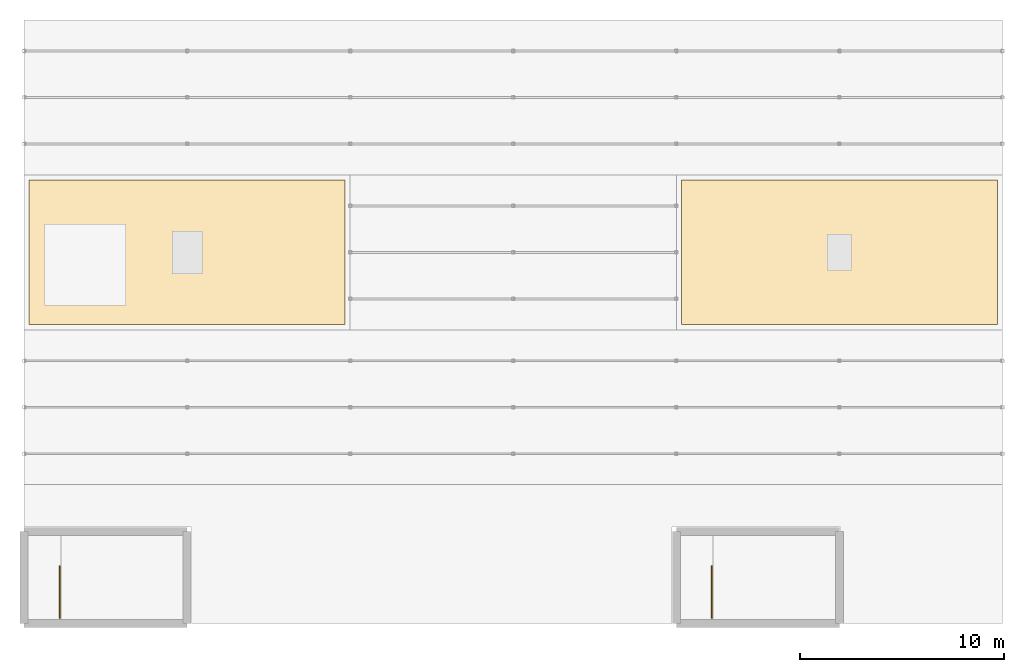
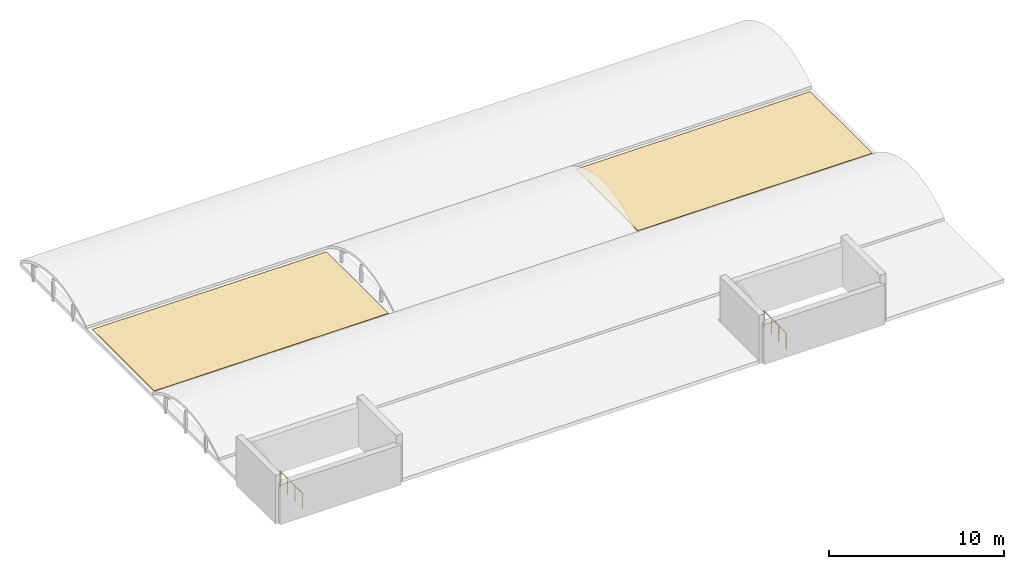
# One storey, part 8 of 8: 2 coverings, 2 railings.
"""IFC4 building model written with IfcOpenShell, lengths in metres."""

import ifcopenshell
import ifcopenshell.guid

model = None  # the IFC model being written
_history = None  # IfcOwnerHistory: only IFC2X3 demands one
_inside = {}  # id of a spatial element -> (the spatial element, [elements in it])
_under = {}  # id of a project, library or spatial element -> (it, [spatial elements below it])
_declared = {}  # id of a project -> (the project, [libraries it declares])
_typed = {}  # id of a type object -> (the type object, [elements of that type])
_made_of = {}  # id of a material, layer set ... -> (it, [elements and type objects made of it])


def new_model(schema):
    """Start an empty IFC model of exactly this schema.

    Asked for "IFC4X3", IfcOpenShell would pick the latest addendum, in which some entities
    have other attributes; the version numbers below select the first issue.
    IFC2X3 requires an IfcOwnerHistory on every rooted entity: one is made here for all.
    """
    global model, _history
    if schema == "IFC4X3":
        model = ifcopenshell.file(schema_version=(4, 3, 0, 0))
    else:
        model = ifcopenshell.file(schema=schema)
    _inside.clear()
    _under.clear()
    _declared.clear()
    _typed.clear()
    _made_of.clear()
    _history = None
    if model.schema == "IFC2X3":
        org = make("IfcOrganization", Name="unknown")
        user = make(
            "IfcPersonAndOrganization",
            ThePerson=make("IfcPerson", FamilyName="unknown"),
            TheOrganization=org,
        )
        app = make(
            "IfcApplication",
            ApplicationDeveloper=org,
            Version="unknown",
            ApplicationFullName="unknown",
            ApplicationIdentifier="unknown",
        )
        _history = make(
            "IfcOwnerHistory",
            OwningUser=user,
            OwningApplication=app,
            ChangeAction="ADDED",
            CreationDate=0,
        )
    return model


def make(cls, **values):
    """One entity of the class cls with the attributes given. An attribute that is None is left unset."""
    return model.create_entity(
        cls, **{name: value for name, value in values.items() if value is not None}
    )


def rooted(cls, **values):
    """An entity with a GlobalId (a new one), such as an element, a storey or a relation."""
    return make(cls, GlobalId=ifcopenshell.guid.new(), OwnerHistory=_history, **values)


def si_unit(unit_type, name, prefix=None):
    """IfcSIUnit, for example si_unit("LENGTHUNIT", "METRE", prefix="MILLI")."""
    return make("IfcSIUnit", UnitType=unit_type, Prefix=prefix, Name=name)


def assignment(units):
    """IfcUnitAssignment: the units of a project."""
    return None if units is None else make("IfcUnitAssignment", Units=units)


def point(xyz):
    """IfcCartesianPoint."""
    return None if xyz is None else make("IfcCartesianPoint", Coordinates=xyz)


def direction(xyz):
    """IfcDirection."""
    return None if xyz is None else make("IfcDirection", DirectionRatios=xyz)


def frame(location, z_axis=None, x_axis=None):
    """IfcAxis2Placement3D, a coordinate frame: its origin and axes. An axis left out is left unset."""
    return make(
        "IfcAxis2Placement3D",
        Location=point(location),
        Axis=direction(z_axis),
        RefDirection=direction(x_axis),
    )


def frame_2d(location, x_axis=None):
    """IfcAxis2Placement2D, a coordinate frame in the plane: its origin and x axis."""
    return make(
        "IfcAxis2Placement2D", Location=point(location), RefDirection=direction(x_axis)
    )


def origin():
    """The frame at (0, 0, 0) with its axes left unset."""
    return frame((0.0, 0.0, 0.0))


def origin_2d():
    """The frame at (0, 0) in the plane with its x axis left unset."""
    return frame_2d((0.0, 0.0))


def place(relative_to, where):
    """IfcLocalPlacement: puts the frame where relative to a parent placement (None: the world)."""
    return make(
        "IfcLocalPlacement", PlacementRelTo=relative_to, RelativePlacement=where
    )


def context(
    kind, dimensions, precision=None, world=None, true_north=None, identifier=None
):
    """IfcGeometricRepresentationContext, for example the 3D "Model" context."""
    return make(
        "IfcGeometricRepresentationContext",
        ContextIdentifier=identifier,
        ContextType=kind,
        CoordinateSpaceDimension=dimensions,
        Precision=precision,
        WorldCoordinateSystem=world,
        TrueNorth=true_north,
    )


def subcontext(parent, identifier, kind, view, scale=None):
    """IfcGeometricRepresentationSubContext, for example "Body" below "Model"."""
    return make(
        "IfcGeometricRepresentationSubContext",
        ContextIdentifier=identifier,
        ContextType=kind,
        ParentContext=parent,
        TargetScale=scale,
        TargetView=view,
    )


def project(units=None, contexts=None):
    """IfcProject with its units and contexts."""
    return rooted(
        "IfcProject",
        Name="project",
        RepresentationContexts=contexts,
        UnitsInContext=assignment(units),
    )


def spatial(cls, under=None, at=None, **own):
    """A site, building, storey or space (cls), placed at a placement, below another one or the project."""
    s = rooted(cls, ObjectPlacement=at, **own)
    if under is not None:
        _under.setdefault(under.id(), (under, []))[1].append(s)
    return s


def polyline(points):
    """IfcPolyline through the points."""
    return make("IfcPolyline", Points=[point(p) for p in points])


def profile(cls, at=None, kind="AREA", **sizes):
    """A parametric profile (cls). Its sizes go by their IFC names, for example OverallWidth=200.0."""
    return make(cls, ProfileType=kind, Position=at, **sizes)


def circle(**sizes):
    """IfcCircleProfileDef."""
    return profile("IfcCircleProfileDef", **sizes)


def outline(outer, holes=None, kind="AREA"):
    """IfcArbitraryClosedProfileDef: a profile drawn as a closed curve; with holes, ...WithVoids."""
    if holes is None:
        return make("IfcArbitraryClosedProfileDef", ProfileType=kind, OuterCurve=outer)
    return make(
        "IfcArbitraryProfileDefWithVoids",
        ProfileType=kind,
        OuterCurve=outer,
        InnerCurves=holes,
    )


def extrude(swept, where, along, depth):
    """IfcExtrudedAreaSolid: the profile swept, set in the frame where, extruded along a direction by depth."""
    return make(
        "IfcExtrudedAreaSolid",
        SweptArea=swept,
        Position=where,
        ExtrudedDirection=direction(along),
        Depth=depth,
    )


def shape(context_of_items, identifier, shape_type, items):
    """IfcShapeRepresentation: the items that make up one representation, for example the "Body"."""
    return make(
        "IfcShapeRepresentation",
        ContextOfItems=context_of_items,
        RepresentationIdentifier=identifier,
        RepresentationType=shape_type,
        Items=items,
    )


def material(Name=None, Category=None):
    """IfcMaterial."""
    return make("IfcMaterial", Name=Name, Category=Category)


def layer(
    of_material, thickness, ventilated=None, Name=None, Category=None, Priority=None
):
    """IfcMaterialLayer: one layer of a wall or slab, of a material (None: an air gap)."""
    return make(
        "IfcMaterialLayer",
        Material=of_material,
        LayerThickness=thickness,
        IsVentilated=ventilated,
        Name=Name,
        Category=Category,
        Priority=Priority,
    )


def layer_set(layers, Name=None):
    """IfcMaterialLayerSet."""
    return make("IfcMaterialLayerSet", MaterialLayers=layers, LayerSetName=Name)


def made_of(thing, what):
    """Note that an element or type object is made of a material, layer set ...; save() writes the relation."""
    if what is not None:
        _made_of.setdefault(what.id(), (what, []))[1].append(thing)
    return thing


def type_object(cls, material=None, **own):
    """A type object (cls), such as IfcWallType, which elements share."""
    return made_of(rooted(cls, **own), material)


def element(
    cls,
    number,
    at=None,
    inside=None,
    cuts=None,
    type_object=None,
    material=None,
    context=None,
    identifier="Body",
    shape_type=None,
    held_by="IfcProductDefinitionShape",
    body=None,
    shapes=None,
    **own,
):
    """One element of the class cls, such as IfcWall. Its Tag is "e" and its number.

    at: its placement. inside: the storey or other place that contains it. cuts: it is an
    opening in that element (IfcRelVoidsElement). A single representation is given by context,
    identifier, shape_type and body (its items); several are given by shapes. held_by: the class
    of the entity that holds the representations. save() writes the other relations.
    """
    e = rooted(cls, Tag="e%d" % number, ObjectPlacement=at, **own)
    if body is not None:
        shapes = [shape(context, identifier, shape_type, body)]
    if shapes is not None:
        e.Representation = make(held_by, Representations=shapes)
    if inside is not None:
        _inside.setdefault(inside.id(), (inside, []))[1].append(e)
    if cuts is not None:
        rooted(
            "IfcRelVoidsElement", RelatingBuildingElement=cuts, RelatedOpeningElement=e
        )
    if type_object is not None:
        _typed.setdefault(type_object.id(), (type_object, []))[1].append(e)
    return made_of(e, material)


def aggregate(whole, parts):
    """IfcRelAggregates: a whole, such as a stair, and the parts it consists of."""
    return rooted("IfcRelAggregates", RelatingObject=whole, RelatedObjects=parts)


def save(model, path):
    """Write the relations noted so far, then the file.

    IfcRelAggregates (storeys below a building ...), IfcRelContainedInSpatialStructure (elements
    in a storey), IfcRelDefinesByType, IfcRelAssociatesMaterial and IfcRelDeclares: one each for
    every whole, place, type object, material and project.
    """
    for whole, parts in _under.values():
        aggregate(whole, parts)
    for where, things in _inside.values():
        rooted(
            "IfcRelContainedInSpatialStructure",
            RelatedElements=things,
            RelatingStructure=where,
        )
    for kind, things in _typed.values():
        rooted("IfcRelDefinesByType", RelatedObjects=things, RelatingType=kind)
    for what, things in _made_of.values():
        rooted("IfcRelAssociatesMaterial", RelatedObjects=things, RelatingMaterial=what)
    for by, libraries in _declared.values():
        rooted("IfcRelDeclares", RelatingContext=by, RelatedDefinitions=libraries)
    model.write(path)


model = new_model("IFC4")

# Units and contexts
model_context = context("Model", 3, precision=1e-05, world=origin(), true_north=direction((0.0, 1.0)))
body_context = subcontext(model_context, "Body", "Model", "MODEL_VIEW")
ifc_project = project(units=[si_unit("LENGTHUNIT", "METRE"), si_unit("AREAUNIT", "SQUARE_METRE"), si_unit("VOLUMEUNIT", "CUBIC_METRE"), si_unit("PLANEANGLEUNIT", "RADIAN"), si_unit("MASSUNIT", "GRAM", prefix="KILO")], contexts=[model_context])

# Site, building, storey
site_placement = place(None, origin())
site = spatial("IfcSite", under=ifc_project, at=site_placement, CompositionType="ELEMENT")
building_placement = place(site_placement, origin())
building = spatial("IfcBuilding", under=site, at=building_placement, Name="Shalkamar Park Central Library", CompositionType="ELEMENT")
storey_placement = place(building_placement, frame((0.0, 0.0, 77.699951171875)))
storey = spatial("IfcBuildingStorey", under=building, at=storey_placement, Name="ROOF", CompositionType="ELEMENT", Elevation=77.699951171875)

# Coverings
ifc_material_1 = material(Name="SBS modified bitumen roofing membrane", Category="other")
ifc_layer = layer(ifc_material_1, 0.030029296875)
ifc_layer_set = layer_set([ifc_layer], Name="ColdClimateRoofMembrane")
covering_type = type_object("IfcCoveringType", Name="Cold Climate Roof Membrane", PredefinedType="ROOFING", material=ifc_layer_set)
covering_1_placement = place(storey_placement, origin())
element("IfcCovering", 1, at=covering_1_placement, inside=storey, type_object=covering_type, Name="SBS Crown Roof Waterproofing Membrane RF-L18-MAIN W", PredefinedType="ROOFING", context=body_context, shape_type="SweptSolid", body=[
    extrude(outline(polyline([(165.25, 263.050048828125), (180.75, 263.050048828125), (180.75, 270.14990234375), (165.25, 270.14990234375), (165.25, 263.050048828125)])), origin(), (0.0, 0.0, 1.0), 0.030029296875),
])
covering_2_placement = place(storey_placement, origin())
element("IfcCovering", 2, at=covering_2_placement, inside=storey, type_object=covering_type, Name="SBS Crown Roof Waterproofing Membrane RF-L18-MAIN E", PredefinedType="ROOFING", context=body_context, shape_type="SweptSolid", body=[
    extrude(outline(polyline([(197.25, 263.050048828125), (212.75, 263.050048828125), (212.75, 270.14990234375), (197.25, 270.14990234375), (197.25, 263.050048828125)])), origin(), (0.0, 0.0, 1.0), 0.030029296875),
])

# Railings
ifc_material_2 = material(Name="Steel S355", Category="steel")
railing_type = type_object("IfcRailingType", Name="Stair Guardrail 1100", PredefinedType="GUARDRAIL", material=ifc_material_2)
for number, where, name in (
    (3, (166.739990234375, 248.659912109375, 0.0), "Stairwell Roof Headhouse Guardrail ST-T1"),
    (4, (198.739990234375, 248.659912109375, 0.0), "Stairwell Roof Headhouse Guardrail ST-T2"),
):
    element("IfcRailing", number, at=place(storey_placement, frame(where)), inside=storey, type_object=railing_type, Name=name, PredefinedType="GUARDRAIL", context=body_context, shape_type="SweptSolid", body=[
        extrude(circle(Radius=0.02392578125, at=origin_2d()), frame((0.0, 0.0, 1.076171875), z_axis=(0.0, 1.0, 0.0), x_axis=(-1.0, 0.0, 0.0)), (0.0, 0.0, 1.0), 2.5400390625),
        extrude(circle(Radius=0.02099609375, at=origin_2d()), origin(), (0.0, 0.0, 1.0), 1.052001953125),
        extrude(circle(Radius=0.02099609375, at=origin_2d()), frame((0.0, 0.8466796875, 0.0)), (0.0, 0.0, 1.0), 1.052001953125),
        extrude(circle(Radius=0.02099609375, at=origin_2d()), frame((0.0, 1.693359375, 0.0)), (0.0, 0.0, 1.0), 1.052001953125),
        extrude(circle(Radius=0.02099609375, at=origin_2d()), frame((0.0, 2.5400390625, 0.0)), (0.0, 0.0, 1.0), 1.052001953125),
    ])

save(model, "model.ifc")
